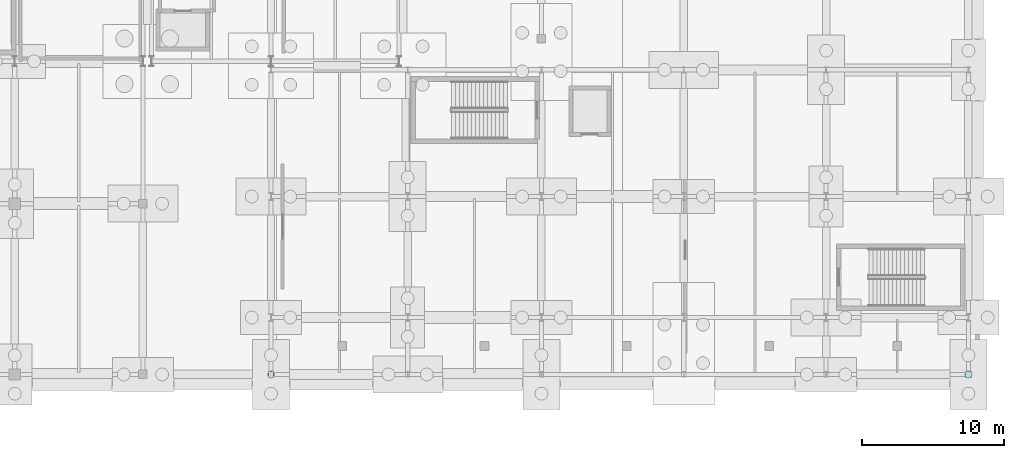
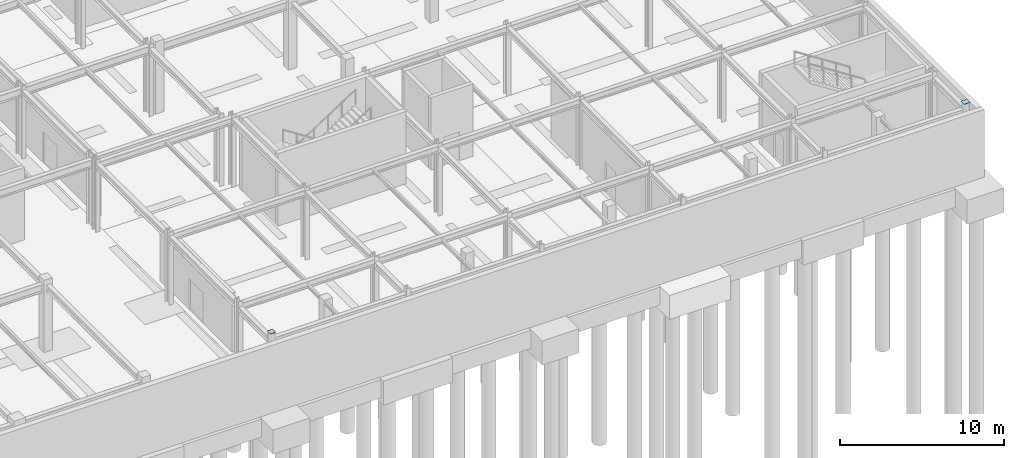
# One storey, part 41 of 65: 2 plates.
"""IFC4 building model written with IfcOpenShell, lengths in metres."""

from ifc_helpers import new_model, si_unit, direction, frame, origin, origin_2d, place, context, subcontext, project, spatial, rectangle, extrude, material, type_object, element, save


model = new_model("IFC4")

# Units and contexts
model_context = context("Model", 3, precision=1e-05, world=origin(), true_north=direction((0.0, 1.0)))
body_context = subcontext(model_context, "Body", "Model", "MODEL_VIEW")
ifc_project = project(units=[si_unit("LENGTHUNIT", "METRE"), si_unit("AREAUNIT", "SQUARE_METRE"), si_unit("VOLUMEUNIT", "CUBIC_METRE"), si_unit("PLANEANGLEUNIT", "RADIAN"), si_unit("MASSUNIT", "GRAM", prefix="KILO")], contexts=[model_context])

# Site, building, storey
site_placement = place(None, origin())
site = spatial("IfcSite", under=ifc_project, at=site_placement, CompositionType="ELEMENT")
building_placement = place(site_placement, origin())
building = spatial("IfcBuilding", under=site, at=building_placement, Name="Kaldris Quays Convention Centre", CompositionType="ELEMENT")
storey_placement = place(building_placement, frame((0.0, 0.0, -5.39990234375)))
storey = spatial("IfcBuildingStorey", under=building, at=storey_placement, Name="B1", CompositionType="ELEMENT", Elevation=-5.39990234375)

# Plates
ifc_material = material(Name="Steel S355J2", Category="steel")
plate_type_1 = type_object("IfcPlateType", Name="GUSSET PLATE GP01", PredefinedType="USERDEFINED", material=ifc_material)
plate_1_placement = place(storey_placement, frame((155.0, 16.0, 5.390869140625), z_axis=(0.0, 0.0, 1.0), x_axis=(1.0, 0.0, 0.0)))
element("IfcPlate", 1, at=plate_1_placement, inside=storey, type_object=plate_type_1, Name="B1 Hollow Column Sealed Cap Plate GP01 179", ObjectType="GUSSET PLATE", PredefinedType="USERDEFINED", context=body_context, shape_type="SweptSolid", body=[
    extrude(rectangle(XDim=0.360107421875, YDim=0.39990234375, at=origin_2d()), origin(), (0.0, 0.0, 1.0), 0.01806640625),
])
plate_type_2 = type_object("IfcPlateType", Name="GUSSET PLATE GP02", PredefinedType="USERDEFINED", material=ifc_material)
plate_2_placement = place(storey_placement, frame((204.0, 16.0, 5.389892578125), z_axis=(0.0, 0.0, 1.0), x_axis=(1.0, 0.0, 0.0)))
element("IfcPlate", 2, at=plate_2_placement, inside=storey, type_object=plate_type_2, Name="B1 Hollow Column Sealed Cap Plate GP02 281", ObjectType="GUSSET PLATE", PredefinedType="USERDEFINED", context=body_context, shape_type="SweptSolid", body=[
    extrude(rectangle(XDim=0.405029296875, YDim=0.39990234375, at=origin_2d()), origin(), (0.0, 0.0, 1.0), 0.02001953125),
])

save(model, "model.ifc")
